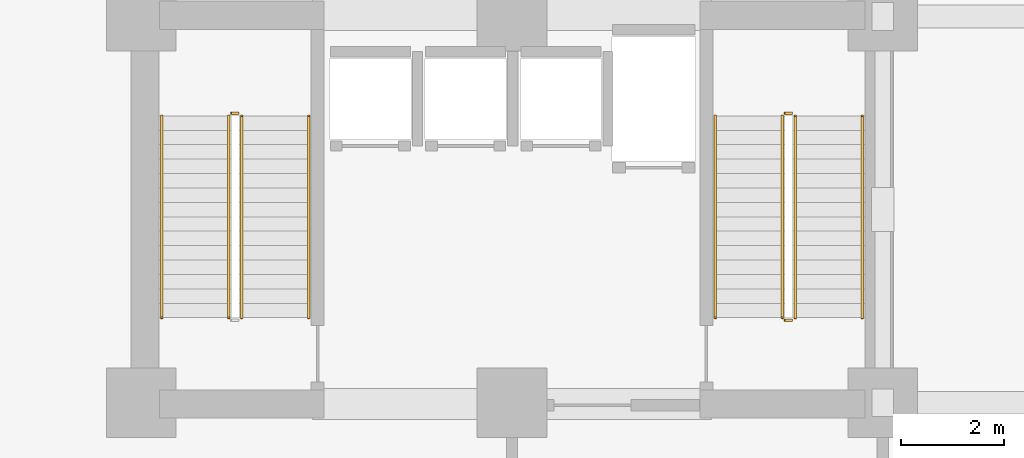
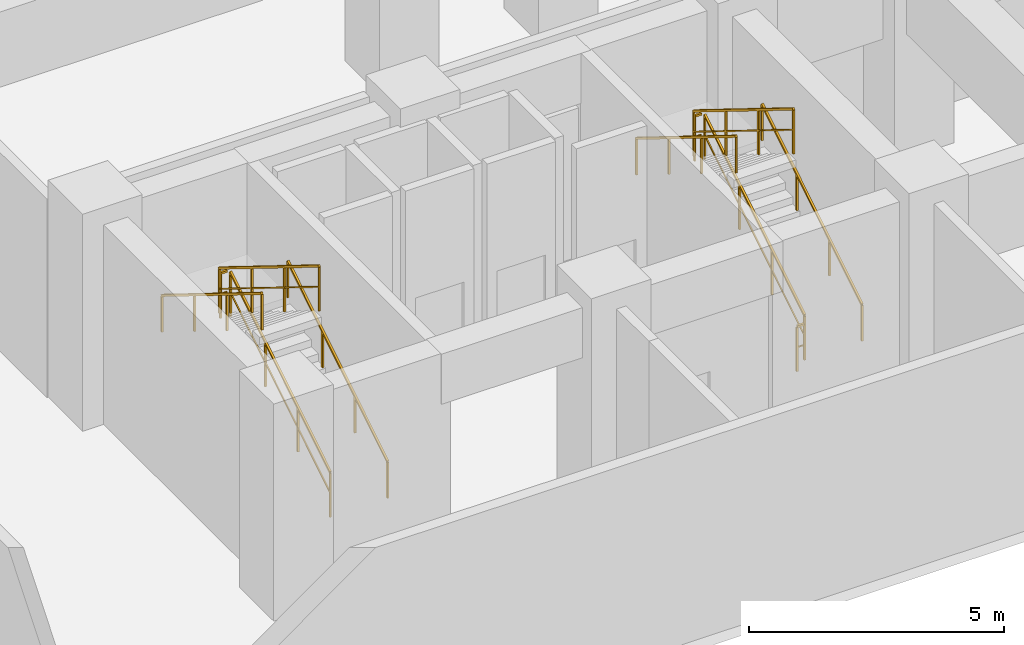
# One storey, part 7 of 8: 11 railings.
"""IFC4 building model written with IfcOpenShell, lengths in metres."""

from ifc_helpers import new_model, si_unit, direction, frame, origin, origin_2d, place, context, subcontext, project, spatial, rectangle, extrude, material, type_object, element, save


model = new_model("IFC4")

# Units and contexts
model_context = context("Model", 3, precision=1e-05, world=origin(), true_north=direction((0.0, 1.0)))
body_context = subcontext(model_context, "Body", "Model", "MODEL_VIEW")
ifc_project = project(units=[si_unit("LENGTHUNIT", "METRE"), si_unit("AREAUNIT", "SQUARE_METRE"), si_unit("VOLUMEUNIT", "CUBIC_METRE"), si_unit("PLANEANGLEUNIT", "RADIAN"), si_unit("MASSUNIT", "GRAM", prefix="KILO")], contexts=[model_context])

# Site, building, storey
site_placement = place(None, origin())
site = spatial("IfcSite", under=ifc_project, at=site_placement, CompositionType="ELEMENT")
building_placement = place(site_placement, origin())
building = spatial("IfcBuilding", under=site, at=building_placement, Name="Kaliganga Portal Commons", CompositionType="ELEMENT")
storey_placement = place(building_placement, frame((0.0, 0.0, 73.39990234375)))
storey = spatial("IfcBuildingStorey", under=building, at=storey_placement, Name="L18", CompositionType="ELEMENT", Elevation=73.39990234375)

# Railings
ifc_material_1 = material(Name="Galvanized Painted Steel Balustrade", Category="steel")
railing_type_1 = type_object("IfcRailingType", Name="RLG-STAIR-GRD", PredefinedType="GUARDRAIL", material=ifc_material_1)
railing_1_placement = place(storey_placement, frame((37.949951171875, 8.699951171875, 0.17333984375)))
element("IfcRailing", 1, at=railing_1_placement, inside=storey, type_object=railing_type_1, Name="L18 ST-B1 stair guard 1", PredefinedType="GUARDRAIL", context=body_context, shape_type="SweptSolid", body=[
    extrude(rectangle(XDim=0.048095703125, YDim=0.048095703125, at=origin_2d()), frame((0.0, 0.0, 1.07177734375), z_axis=(0.0, 0.850266275192, 0.526352791643), x_axis=(-1.0, 0.0, 0.0)), (0.0, 0.0, 1.0), 4.610595703125),
    extrude(rectangle(XDim=0.028076171875, YDim=0.028076171875, at=origin_2d()), frame((0.0, 0.0, 0.572021484375), z_axis=(0.0, 0.850266275192, 0.526352791643), x_axis=(-1.0, 0.0, 0.0)), (0.0, 0.0, 1.0), 4.610595703125),
    extrude(rectangle(XDim=0.0419921875, YDim=0.0419921875, at=origin_2d()), origin(), (0.0, 0.0, 1.0), 1.052001953125),
    extrude(rectangle(XDim=0.0419921875, YDim=0.0419921875, at=origin_2d()), frame((0.0, 1.275390625, 0.78955078125)), (0.0, 0.0, 1.0), 1.052001953125),
    extrude(rectangle(XDim=0.0419921875, YDim=0.0419921875, at=origin_2d()), frame((0.0, 2.55078125, 1.5791015625)), (0.0, 0.0, 1.0), 1.052001953125),
    extrude(rectangle(XDim=0.0419921875, YDim=0.0419921875, at=origin_2d()), frame((0.0, 3.920166015625, 2.4267578125)), (0.0, 0.0, 1.0), 1.052001953125),
])
railing_2_placement = place(storey_placement, frame((37.89990234375, 12.669921875, 2.60009765625)))
element("IfcRailing", 2, at=railing_2_placement, inside=storey, type_object=railing_type_1, Name="L18 ST-B1 stair guard 2", PredefinedType="GUARDRAIL", context=body_context, shape_type="SweptSolid", body=[
    extrude(rectangle(XDim=0.048095703125, YDim=0.048095703125, at=origin_2d()), frame((0.0, 0.0, 1.076171875), z_axis=(-1.0, 0.0, 0.0), x_axis=(0.0, -1.0, 0.0)), (0.0, 0.0, 1.0), 0.14990234375),
    extrude(rectangle(XDim=0.028076171875, YDim=0.028076171875, at=origin_2d()), frame((0.0, 0.0, 0.572021484375), z_axis=(-1.0, 0.0, 0.0), x_axis=(0.0, -1.0, 0.0)), (0.0, 0.0, 1.0), 0.14990234375),
    extrude(rectangle(XDim=0.0419921875, YDim=0.0419921875, at=origin_2d()), frame((-0.14990234375, 0.0, 0.0)), (0.0, 0.0, 1.0), 1.052001953125),
])
railing_3_placement = place(storey_placement, frame((37.699951171875, 12.6201171875, 2.7734375)))
element("IfcRailing", 3, at=railing_3_placement, inside=storey, type_object=railing_type_1, Name="L18 ST-B1 stair guard 3", PredefinedType="GUARDRAIL", context=body_context, shape_type="SweptSolid", body=[
    extrude(rectangle(XDim=0.048095703125, YDim=0.048095703125, at=origin_2d()), frame((0.0, 0.0, 1.07177734375), z_axis=(0.0, -0.850266275192, 0.526352791643), x_axis=(1.0, 0.0, 0.0)), (0.0, 0.0, 1.0), 4.610595703125),
    extrude(rectangle(XDim=0.028076171875, YDim=0.028076171875, at=origin_2d()), frame((0.0, 0.0, 0.572021484375), z_axis=(0.0, -0.850266275192, 0.526352791643), x_axis=(1.0, 0.0, 0.0)), (0.0, 0.0, 1.0), 4.610595703125),
    extrude(rectangle(XDim=0.0419921875, YDim=0.0419921875, at=origin_2d()), origin(), (0.0, 0.0, 1.0), 1.052001953125),
    extrude(rectangle(XDim=0.0419921875, YDim=0.0419921875, at=origin_2d()), frame((0.0, -1.275390625, 0.78955078125)), (0.0, 0.0, 1.0), 1.052001953125),
    extrude(rectangle(XDim=0.0419921875, YDim=0.0419921875, at=origin_2d()), frame((0.0, -2.55078125, 1.5791015625)), (0.0, 0.0, 1.0), 1.052001953125),
    extrude(rectangle(XDim=0.0419921875, YDim=0.0419921875, at=origin_2d()), frame((0.0, -3.920166015625, 2.4267578125)), (0.0, 0.0, 1.0), 1.052001953125),
])
railing_4_placement = place(storey_placement, frame((48.699951171875, 8.699951171875, 0.17333984375)))
element("IfcRailing", 4, at=railing_4_placement, inside=storey, type_object=railing_type_1, Name="L18 ST-B2 stair guard 1", PredefinedType="GUARDRAIL", context=body_context, shape_type="SweptSolid", body=[
    extrude(rectangle(XDim=0.048095703125, YDim=0.048095703125, at=origin_2d()), frame((0.0, 0.0, 1.07177734375), z_axis=(0.0, 0.850266275192, 0.526352791643), x_axis=(-1.0, 0.0, 0.0)), (0.0, 0.0, 1.0), 4.610595703125),
    extrude(rectangle(XDim=0.028076171875, YDim=0.028076171875, at=origin_2d()), frame((0.0, 0.0, 0.572021484375), z_axis=(0.0, 0.850266275192, 0.526352791643), x_axis=(-1.0, 0.0, 0.0)), (0.0, 0.0, 1.0), 4.610595703125),
    extrude(rectangle(XDim=0.0419921875, YDim=0.0419921875, at=origin_2d()), origin(), (0.0, 0.0, 1.0), 1.052001953125),
    extrude(rectangle(XDim=0.0419921875, YDim=0.0419921875, at=origin_2d()), frame((0.0, 1.275390625, 0.78955078125)), (0.0, 0.0, 1.0), 1.052001953125),
    extrude(rectangle(XDim=0.0419921875, YDim=0.0419921875, at=origin_2d()), frame((0.0, 2.55078125, 1.5791015625)), (0.0, 0.0, 1.0), 1.052001953125),
    extrude(rectangle(XDim=0.0419921875, YDim=0.0419921875, at=origin_2d()), frame((0.0, 3.920166015625, 2.4267578125)), (0.0, 0.0, 1.0), 1.052001953125),
])
railing_5_placement = place(storey_placement, frame((48.64990234375, 12.669921875, 2.60009765625)))
element("IfcRailing", 5, at=railing_5_placement, inside=storey, type_object=railing_type_1, Name="L18 ST-B2 stair guard 2", PredefinedType="GUARDRAIL", context=body_context, shape_type="SweptSolid", body=[
    extrude(rectangle(XDim=0.048095703125, YDim=0.048095703125, at=origin_2d()), frame((0.0, 0.0, 1.076171875), z_axis=(-1.0, 0.0, 0.0), x_axis=(0.0, -1.0, 0.0)), (0.0, 0.0, 1.0), 0.14990234375),
    extrude(rectangle(XDim=0.028076171875, YDim=0.028076171875, at=origin_2d()), frame((0.0, 0.0, 0.572021484375), z_axis=(-1.0, 0.0, 0.0), x_axis=(0.0, -1.0, 0.0)), (0.0, 0.0, 1.0), 0.14990234375),
    extrude(rectangle(XDim=0.0419921875, YDim=0.0419921875, at=origin_2d()), frame((-0.14990234375, 0.0, 0.0)), (0.0, 0.0, 1.0), 1.052001953125),
])
railing_6_placement = place(storey_placement, frame((48.449951171875, 12.6201171875, 2.7734375)))
element("IfcRailing", 6, at=railing_6_placement, inside=storey, type_object=railing_type_1, Name="L18 ST-B2 stair guard 3", PredefinedType="GUARDRAIL", context=body_context, shape_type="SweptSolid", body=[
    extrude(rectangle(XDim=0.048095703125, YDim=0.048095703125, at=origin_2d()), frame((0.0, 0.0, 1.07177734375), z_axis=(0.0, -0.850266275192, 0.526352791643), x_axis=(1.0, 0.0, 0.0)), (0.0, 0.0, 1.0), 4.610595703125),
    extrude(rectangle(XDim=0.028076171875, YDim=0.028076171875, at=origin_2d()), frame((0.0, 0.0, 0.572021484375), z_axis=(0.0, -0.850266275192, 0.526352791643), x_axis=(1.0, 0.0, 0.0)), (0.0, 0.0, 1.0), 4.610595703125),
    extrude(rectangle(XDim=0.0419921875, YDim=0.0419921875, at=origin_2d()), origin(), (0.0, 0.0, 1.0), 1.052001953125),
    extrude(rectangle(XDim=0.0419921875, YDim=0.0419921875, at=origin_2d()), frame((0.0, -1.275390625, 0.78955078125)), (0.0, 0.0, 1.0), 1.052001953125),
    extrude(rectangle(XDim=0.0419921875, YDim=0.0419921875, at=origin_2d()), frame((0.0, -2.55078125, 1.5791015625)), (0.0, 0.0, 1.0), 1.052001953125),
    extrude(rectangle(XDim=0.0419921875, YDim=0.0419921875, at=origin_2d()), frame((0.0, -3.920166015625, 2.4267578125)), (0.0, 0.0, 1.0), 1.052001953125),
])
railing_7_placement = place(storey_placement, frame((48.64990234375, 8.64990234375, 0.0)))
element("IfcRailing", 7, at=railing_7_placement, inside=storey, type_object=railing_type_1, Name="L18 ST-B2 stair guard 4", PredefinedType="GUARDRAIL", context=body_context, shape_type="SweptSolid", body=[
    extrude(rectangle(XDim=0.048095703125, YDim=0.048095703125, at=origin_2d()), frame((0.0, 0.0, 1.076171875), z_axis=(-1.0, 0.0, 0.0), x_axis=(0.0, -1.0, 0.0)), (0.0, 0.0, 1.0), 0.14990234375),
    extrude(rectangle(XDim=0.028076171875, YDim=0.028076171875, at=origin_2d()), frame((0.0, 0.0, 0.572021484375), z_axis=(-1.0, 0.0, 0.0), x_axis=(0.0, -1.0, 0.0)), (0.0, 0.0, 1.0), 0.14990234375),
    extrude(rectangle(XDim=0.0419921875, YDim=0.0419921875, at=origin_2d()), frame((-0.14990234375, 0.0, 0.0)), (0.0, 0.0, 1.0), 1.052001953125),
])
ifc_material_2 = material(Name="Brushed Stainless Steel 316", Category="steel")
railing_type_2 = type_object("IfcRailingType", Name="RLG-STAIR-HR", PredefinedType="HANDRAIL", material=ifc_material_2)
railing_8_placement = place(storey_placement, frame((39.25, 8.699951171875, 0.17333984375)))
element("IfcRailing", 8, at=railing_8_placement, inside=storey, type_object=railing_type_2, Name="L18 ST-B1 stair handrail 1", PredefinedType="HANDRAIL", context=body_context, shape_type="SweptSolid", body=[
    extrude(rectangle(XDim=0.048095703125, YDim=0.048095703125, at=origin_2d()), frame((0.0, 0.0, 0.87158203125), z_axis=(0.0, 0.850266275192, 0.526352791643), x_axis=(-1.0, 0.0, 0.0)), (0.0, 0.0, 1.0), 4.610595703125),
    extrude(rectangle(XDim=0.0419921875, YDim=0.0419921875, at=origin_2d()), origin(), (0.0, 0.0, 1.0), 0.851806640625),
    extrude(rectangle(XDim=0.0419921875, YDim=0.0419921875, at=origin_2d()), frame((0.0, 1.275390625, 0.78955078125)), (0.0, 0.0, 1.0), 0.851806640625),
    extrude(rectangle(XDim=0.0419921875, YDim=0.0419921875, at=origin_2d()), frame((0.0, 2.55078125, 1.5791015625)), (0.0, 0.0, 1.0), 0.851806640625),
    extrude(rectangle(XDim=0.0419921875, YDim=0.0419921875, at=origin_2d()), frame((0.0, 3.920166015625, 2.4267578125)), (0.0, 0.0, 1.0), 0.851806640625),
])
railing_9_placement = place(storey_placement, frame((36.39990234375, 12.6201171875, 2.7734375)))
element("IfcRailing", 9, at=railing_9_placement, inside=storey, type_object=railing_type_2, Name="L18 ST-B1 stair handrail 2", PredefinedType="HANDRAIL", context=body_context, shape_type="SweptSolid", body=[
    extrude(rectangle(XDim=0.048095703125, YDim=0.048095703125, at=origin_2d()), frame((0.0, 0.0, 0.87158203125), z_axis=(0.0, -0.850266275192, 0.526352791643), x_axis=(1.0, 0.0, 0.0)), (0.0, 0.0, 1.0), 4.610595703125),
    extrude(rectangle(XDim=0.0419921875, YDim=0.0419921875, at=origin_2d()), origin(), (0.0, 0.0, 1.0), 0.851806640625),
    extrude(rectangle(XDim=0.0419921875, YDim=0.0419921875, at=origin_2d()), frame((0.0, -1.275390625, 0.78955078125)), (0.0, 0.0, 1.0), 0.851806640625),
    extrude(rectangle(XDim=0.0419921875, YDim=0.0419921875, at=origin_2d()), frame((0.0, -2.55078125, 1.5791015625)), (0.0, 0.0, 1.0), 0.851806640625),
    extrude(rectangle(XDim=0.0419921875, YDim=0.0419921875, at=origin_2d()), frame((0.0, -3.920166015625, 2.4267578125)), (0.0, 0.0, 1.0), 0.851806640625),
])
railing_10_placement = place(storey_placement, frame((50.0, 8.699951171875, 0.17333984375)))
element("IfcRailing", 10, at=railing_10_placement, inside=storey, type_object=railing_type_2, Name="L18 ST-B2 stair handrail 1", PredefinedType="HANDRAIL", context=body_context, shape_type="SweptSolid", body=[
    extrude(rectangle(XDim=0.048095703125, YDim=0.048095703125, at=origin_2d()), frame((0.0, 0.0, 0.87158203125), z_axis=(0.0, 0.850266275192, 0.526352791643), x_axis=(-1.0, 0.0, 0.0)), (0.0, 0.0, 1.0), 4.610595703125),
    extrude(rectangle(XDim=0.0419921875, YDim=0.0419921875, at=origin_2d()), origin(), (0.0, 0.0, 1.0), 0.851806640625),
    extrude(rectangle(XDim=0.0419921875, YDim=0.0419921875, at=origin_2d()), frame((0.0, 1.275390625, 0.78955078125)), (0.0, 0.0, 1.0), 0.851806640625),
    extrude(rectangle(XDim=0.0419921875, YDim=0.0419921875, at=origin_2d()), frame((0.0, 2.55078125, 1.5791015625)), (0.0, 0.0, 1.0), 0.851806640625),
    extrude(rectangle(XDim=0.0419921875, YDim=0.0419921875, at=origin_2d()), frame((0.0, 3.920166015625, 2.4267578125)), (0.0, 0.0, 1.0), 0.851806640625),
])
railing_11_placement = place(storey_placement, frame((47.14990234375, 12.6201171875, 2.7734375)))
element("IfcRailing", 11, at=railing_11_placement, inside=storey, type_object=railing_type_2, Name="L18 ST-B2 stair handrail 2", PredefinedType="HANDRAIL", context=body_context, shape_type="SweptSolid", body=[
    extrude(rectangle(XDim=0.048095703125, YDim=0.048095703125, at=origin_2d()), frame((0.0, 0.0, 0.87158203125), z_axis=(0.0, -0.850266275192, 0.526352791643), x_axis=(1.0, 0.0, 0.0)), (0.0, 0.0, 1.0), 4.610595703125),
    extrude(rectangle(XDim=0.0419921875, YDim=0.0419921875, at=origin_2d()), origin(), (0.0, 0.0, 1.0), 0.851806640625),
    extrude(rectangle(XDim=0.0419921875, YDim=0.0419921875, at=origin_2d()), frame((0.0, -1.275390625, 0.78955078125)), (0.0, 0.0, 1.0), 0.851806640625),
    extrude(rectangle(XDim=0.0419921875, YDim=0.0419921875, at=origin_2d()), frame((0.0, -2.55078125, 1.5791015625)), (0.0, 0.0, 1.0), 0.851806640625),
    extrude(rectangle(XDim=0.0419921875, YDim=0.0419921875, at=origin_2d()), frame((0.0, -3.920166015625, 2.4267578125)), (0.0, 0.0, 1.0), 0.851806640625),
])

save(model, "model.ifc")
